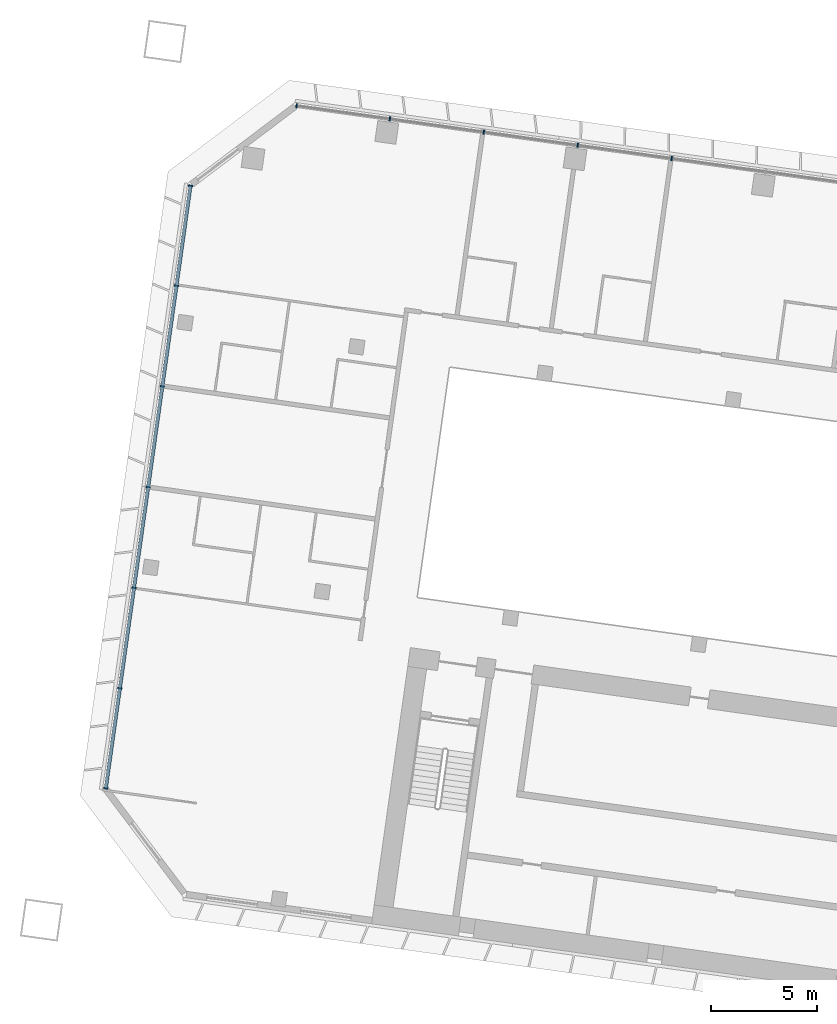
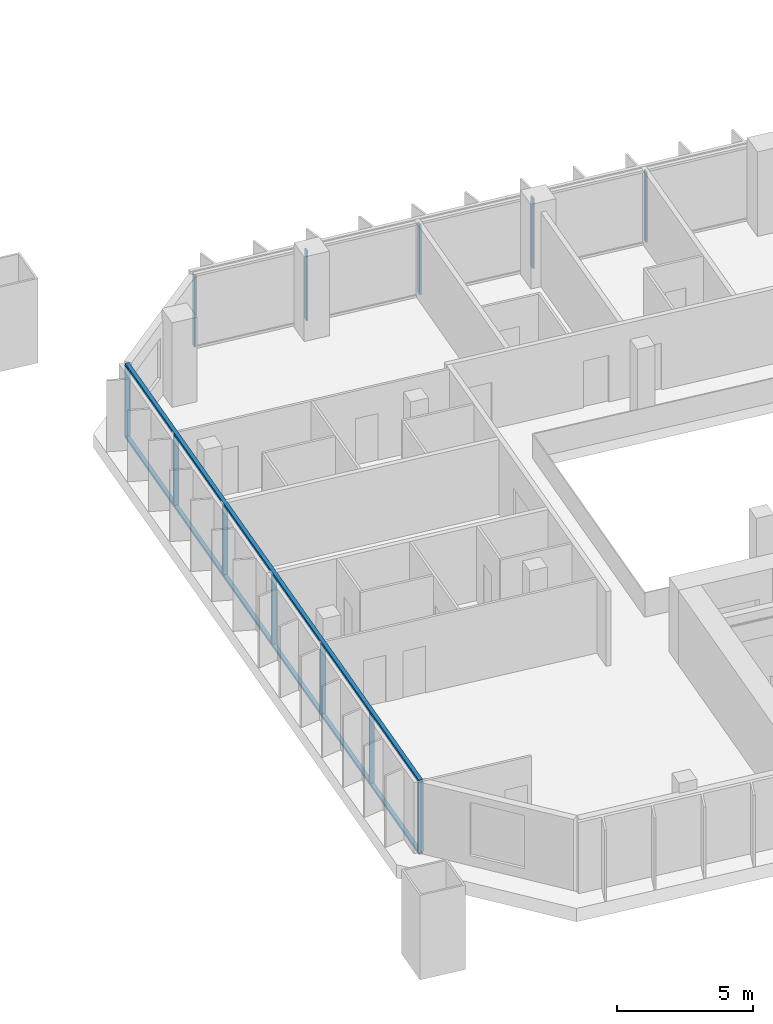
# One storey, part 2 of 24: 14 members, 2 elements without a shape of their own.
"""IFC4 building model written with IfcOpenShell, lengths in metres."""

from ifc_helpers import new_model, si_unit, direction, frame, origin, origin_2d, place, context, subcontext, project, spatial, rectangle, extrude, material, material_profile, profile_set, type_object, element, aggregate, save


model = new_model("IFC4")

# Units and contexts
model_context = context("Model", 3, precision=1e-05, world=origin(), true_north=direction((0.0, 1.0)))
body_context = subcontext(model_context, "Body", "Model", "MODEL_VIEW")
ifc_project = project(units=[si_unit("LENGTHUNIT", "METRE"), si_unit("AREAUNIT", "SQUARE_METRE"), si_unit("VOLUMEUNIT", "CUBIC_METRE"), si_unit("PLANEANGLEUNIT", "RADIAN"), si_unit("MASSUNIT", "GRAM", prefix="KILO")], contexts=[model_context])

# Site, building, storey
site_placement = place(None, origin())
site = spatial("IfcSite", under=ifc_project, at=site_placement, CompositionType="ELEMENT")
building_placement = place(site_placement, origin())
building = spatial("IfcBuilding", under=site, at=building_placement, Name="Mirante Cascada Hotel Towers", CompositionType="ELEMENT")
storey_placement = place(building_placement, frame((0.0, 0.0, 81.3)))
storey = spatial("IfcBuildingStorey", under=building, at=storey_placement, Name="L17", CompositionType="ELEMENT", Elevation=81.3)

# Curtain wall, members
ifc_material_1 = material(Name="Aluminium mullion and transom frame with clear laminated glass", Category="aluminium")
curtain_wall_type_1 = type_object("IfcCurtainWallType", Name="Ribbon curtain wall ECW1", PredefinedType="NOTDEFINED", material=ifc_material_1)
curtain_wall_1_placement = place(storey_placement, origin())
curtain_wall_1 = element("IfcCurtainWall", 1, at=curtain_wall_1_placement, inside=storey, type_object=curtain_wall_type_1, Name="Front ribbon wall T1 L17", PredefinedType="NOTDEFINED")
ifc_material_2 = material(Name="Anodised aluminium extrusion", Category="aluminium")
ifc_material_profile_1 = material_profile(ifc_material_2, rectangle(XDim=0.2, YDim=0.065, at=origin_2d()), Name="ECW1 MULLION 65x200")
ifc_profile_set_1 = profile_set([ifc_material_profile_1], Name="Anodised aluminium extrusion")
member_type_1 = type_object("IfcMemberType", Name="ECW1 mullion 65x200", PredefinedType="MULLION", material=ifc_profile_set_1)
member_1_placement = place(storey_placement, frame((-94.126, 26.0476, 0.1), z_axis=(0.0, 0.0, 1.0), x_axis=(0.1391731, 0.9902681, 0.0)))
member_1 = element("IfcMember", 2, at=member_1_placement, type_object=member_type_1, Name="ECW1 mullion 1", PredefinedType="MULLION", context=body_context, shape_type="SweptSolid", body=[
    extrude(rectangle(XDim=0.2, YDim=0.065, at=origin_2d()), origin(), (0.0, 0.0, 1.0), 3.15),
])
member_2_placement = place(storey_placement, frame((-89.7107, 25.427, 0.1), z_axis=(0.0, 0.0, 1.0), x_axis=(0.1391731, 0.9902681, 0.0)))
member_2 = element("IfcMember", 3, at=member_2_placement, type_object=member_type_1, Name="ECW1 mullion 2", PredefinedType="MULLION", context=body_context, shape_type="SweptSolid", body=[
    extrude(rectangle(XDim=0.2, YDim=0.065, at=origin_2d()), origin(), (0.0, 0.0, 1.0), 3.15),
])
member_3_placement = place(storey_placement, frame((-85.2633, 24.802, 0.1), z_axis=(0.0, 0.0, 1.0), x_axis=(0.1391731, 0.9902681, 0.0)))
member_3 = element("IfcMember", 4, at=member_3_placement, type_object=member_type_1, Name="ECW1 mullion 3", PredefinedType="MULLION", context=body_context, shape_type="SweptSolid", body=[
    extrude(rectangle(XDim=0.2, YDim=0.065, at=origin_2d()), origin(), (0.0, 0.0, 1.0), 3.15),
])
member_4_placement = place(storey_placement, frame((-80.8159, 24.177, 0.1), z_axis=(0.0, 0.0, 1.0), x_axis=(0.1391731, 0.9902681, 0.0)))
member_4 = element("IfcMember", 5, at=member_4_placement, type_object=member_type_1, Name="ECW1 mullion 4", PredefinedType="MULLION", context=body_context, shape_type="SweptSolid", body=[
    extrude(rectangle(XDim=0.2, YDim=0.065, at=origin_2d()), origin(), (0.0, 0.0, 1.0), 3.15),
])
member_5_placement = place(storey_placement, frame((-76.3685, 23.5519, 0.1), z_axis=(0.0, 0.0, 1.0), x_axis=(0.1391731, 0.9902681, 0.0)))
member_5 = element("IfcMember", 6, at=member_5_placement, type_object=member_type_1, Name="ECW1 mullion 5", PredefinedType="MULLION", context=body_context, shape_type="SweptSolid", body=[
    extrude(rectangle(XDim=0.2, YDim=0.065, at=origin_2d()), origin(), (0.0, 0.0, 1.0), 3.15),
])
aggregate(curtain_wall_1, [member_1, member_2, member_3, member_4, member_5])

ifc_material_3 = material(Name="Aluminium mullion and transom frame with clear laminated glass", Category="aluminium")
curtain_wall_type_2 = type_object("IfcCurtainWallType", Name="End ribbon curtain wall ECW2", PredefinedType="NOTDEFINED", material=ifc_material_3)
curtain_wall_2_placement = place(storey_placement, origin())
curtain_wall_2 = element("IfcCurtainWall", 7, at=curtain_wall_2_placement, inside=storey, type_object=curtain_wall_type_2, Name="Outer end wall T1 L17", PredefinedType="NOTDEFINED")
ifc_material_4 = material(Name="Anodised aluminium extrusion", Category="aluminium")
ifc_material_profile_2 = material_profile(ifc_material_4, rectangle(XDim=0.2, YDim=0.065, at=origin_2d()), Name="ECW2 MULLION 65x200")
ifc_profile_set_2 = profile_set([ifc_material_profile_2], Name="Anodised aluminium extrusion")
member_type_2 = type_object("IfcMemberType", Name="ECW2 mullion 65x200", PredefinedType="MULLION", material=ifc_profile_set_2)
member_6_placement = place(storey_placement, frame((-103.1556, -6.2656, 0.1), z_axis=(0.0, 0.0, 1.0), x_axis=(-0.9902681, 0.1391731, 0.0)))
member_6 = element("IfcMember", 8, at=member_6_placement, type_object=member_type_2, Name="ECW2 mullion 1", PredefinedType="MULLION", context=body_context, shape_type="SweptSolid", body=[
    extrude(rectangle(XDim=0.2, YDim=0.065, at=origin_2d()), origin(), (0.0, 0.0, 1.0), 3.15),
])
member_7_placement = place(storey_placement, frame((-102.4903, -1.532, 0.1), z_axis=(0.0, 0.0, 1.0), x_axis=(-0.9902681, 0.1391731, 0.0)))
member_7 = element("IfcMember", 9, at=member_7_placement, type_object=member_type_2, Name="ECW2 mullion 2", PredefinedType="MULLION", context=body_context, shape_type="SweptSolid", body=[
    extrude(rectangle(XDim=0.2, YDim=0.065, at=origin_2d()), origin(), (0.0, 0.0, 1.0), 3.15),
])
member_8_placement = place(storey_placement, frame((-101.8205, 3.2338, 0.1), z_axis=(0.0, 0.0, 1.0), x_axis=(-0.9902681, 0.1391731, 0.0)))
member_8 = element("IfcMember", 10, at=member_8_placement, type_object=member_type_2, Name="ECW2 mullion 3", PredefinedType="MULLION", context=body_context, shape_type="SweptSolid", body=[
    extrude(rectangle(XDim=0.2, YDim=0.065, at=origin_2d()), origin(), (0.0, 0.0, 1.0), 3.15),
])
member_9_placement = place(storey_placement, frame((-101.1508, 7.9996, 0.1), z_axis=(0.0, 0.0, 1.0), x_axis=(-0.9902681, 0.1391731, 0.0)))
member_9 = element("IfcMember", 11, at=member_9_placement, type_object=member_type_2, Name="ECW2 mullion 4", PredefinedType="MULLION", context=body_context, shape_type="SweptSolid", body=[
    extrude(rectangle(XDim=0.2, YDim=0.065, at=origin_2d()), origin(), (0.0, 0.0, 1.0), 3.15),
])
member_10_placement = place(storey_placement, frame((-100.481, 12.7654, 0.1), z_axis=(0.0, 0.0, 1.0), x_axis=(-0.9902681, 0.1391731, 0.0)))
member_10 = element("IfcMember", 12, at=member_10_placement, type_object=member_type_2, Name="ECW2 mullion 5", PredefinedType="MULLION", context=body_context, shape_type="SweptSolid", body=[
    extrude(rectangle(XDim=0.2, YDim=0.065, at=origin_2d()), origin(), (0.0, 0.0, 1.0), 3.15),
])
member_11_placement = place(storey_placement, frame((-99.8112, 17.5312, 0.1), z_axis=(0.0, 0.0, 1.0), x_axis=(-0.9902681, 0.1391731, 0.0)))
member_11 = element("IfcMember", 13, at=member_11_placement, type_object=member_type_2, Name="ECW2 mullion 6", PredefinedType="MULLION", context=body_context, shape_type="SweptSolid", body=[
    extrude(rectangle(XDim=0.2, YDim=0.065, at=origin_2d()), origin(), (0.0, 0.0, 1.0), 3.15),
])
member_12_placement = place(storey_placement, frame((-99.1459, 22.2648, 0.1), z_axis=(0.0, 0.0, 1.0), x_axis=(-0.9902681, 0.1391731, 0.0)))
member_12 = element("IfcMember", 14, at=member_12_placement, type_object=member_type_2, Name="ECW2 mullion 7", PredefinedType="MULLION", context=body_context, shape_type="SweptSolid", body=[
    extrude(rectangle(XDim=0.2, YDim=0.065, at=origin_2d()), origin(), (0.0, 0.0, 1.0), 3.15),
])
ifc_material_5 = material(Name="Anodised aluminium extrusion", Category="aluminium")
ifc_material_profile_3 = material_profile(ifc_material_5, rectangle(XDim=0.16, YDim=0.1, at=origin_2d()), Name="ECW2 TRANSOM 100x160")
ifc_profile_set_3 = profile_set([ifc_material_profile_3], Name="Anodised aluminium extrusion")
member_type_3 = type_object("IfcMemberType", Name="ECW2 transom 100x160", PredefinedType="USERDEFINED", material=ifc_profile_set_3)
member_13_placement = place(storey_placement, frame((-103.1601, -6.2978, 0.05), z_axis=(0.1391723, 0.9902682, 0.0), x_axis=(-0.9902682, 0.1391723, 0.0)))
member_13 = element("IfcMember", 15, at=member_13_placement, type_object=member_type_3, Name="ECW2 sill transom", ObjectType="TRANSOM", PredefinedType="USERDEFINED", context=body_context, shape_type="SweptSolid", body=[
    extrude(rectangle(XDim=0.16, YDim=0.1, at=origin_2d()), origin(), (0.0, 0.0, 1.0), 28.8757),
])
member_14_placement = place(storey_placement, frame((-103.1601, -6.2978, 3.3), z_axis=(0.1391723, 0.9902682, 0.0), x_axis=(-0.9902682, 0.1391723, 0.0)))
member_14 = element("IfcMember", 16, at=member_14_placement, type_object=member_type_3, Name="ECW2 head transom", ObjectType="TRANSOM", PredefinedType="USERDEFINED", context=body_context, shape_type="SweptSolid", body=[
    extrude(rectangle(XDim=0.16, YDim=0.1, at=origin_2d()), origin(), (0.0, 0.0, 1.0), 28.8757),
])
aggregate(curtain_wall_2, [member_13, member_14, member_6, member_7, member_8, member_9, member_10, member_11, member_12])

save(model, "model.ifc")
